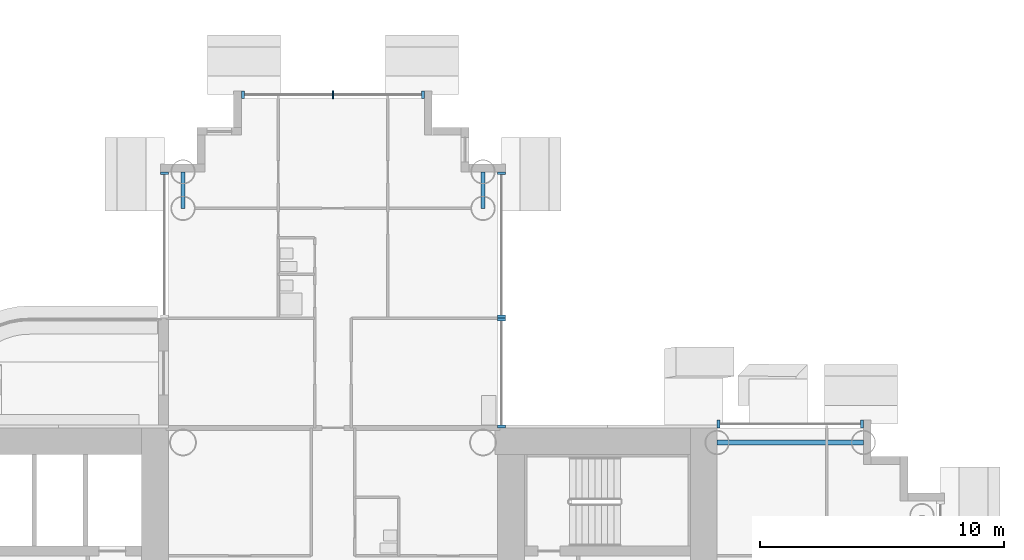
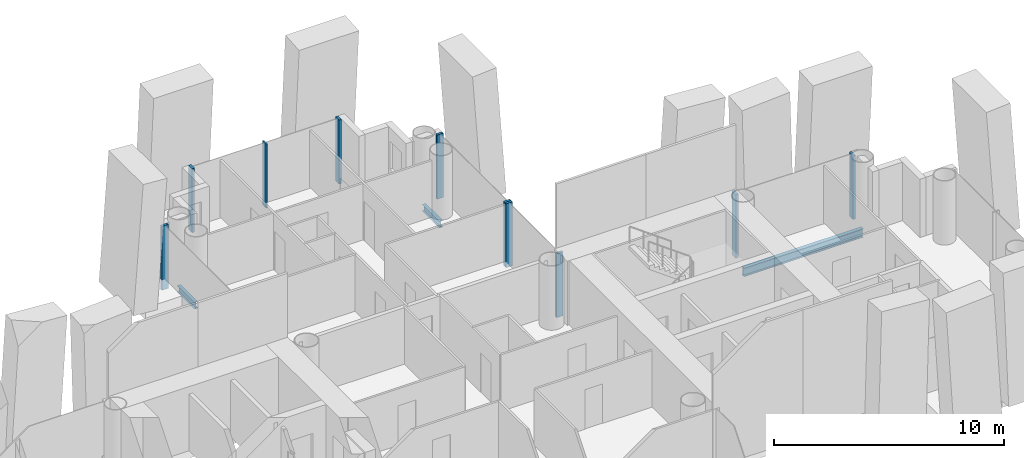
# One storey, part 5 of 25: 10 members, 3 beams, 5 elements without a shape of their own.
"""IFC4 building model written with IfcOpenShell, lengths in metres."""

from ifc_helpers import new_model, si_unit, direction, frame, origin, origin_2d, place, context, subcontext, project, spatial, rectangle, i_section, extrude, material, layer, layer_set, material_profile, profile_set, type_object, element, aggregate, save


model = new_model("IFC4")

# Units and contexts
model_context = context("Model", 3, precision=1e-05, world=origin(), true_north=direction((0.0, 1.0)))
body_context = subcontext(model_context, "Body", "Model", "MODEL_VIEW")
ifc_project = project(units=[si_unit("LENGTHUNIT", "METRE"), si_unit("AREAUNIT", "SQUARE_METRE"), si_unit("VOLUMEUNIT", "CUBIC_METRE"), si_unit("PLANEANGLEUNIT", "RADIAN"), si_unit("MASSUNIT", "GRAM", prefix="KILO")], contexts=[model_context])

# Site, building, storey
site_placement = place(None, origin())
site = spatial("IfcSite", under=ifc_project, at=site_placement, CompositionType="ELEMENT")
building_placement = place(site_placement, origin())
building = spatial("IfcBuilding", under=site, at=building_placement, Name="Ipe Terrace Towers", CompositionType="ELEMENT")
storey_placement = place(building_placement, frame((0.0, 0.0, 31.300048828125)))
storey = spatial("IfcBuildingStorey", under=building, at=storey_placement, Name="L07", CompositionType="ELEMENT", Elevation=31.300048828125)

# Beams
ifc_material_1 = material(Name="Steel S355", Category="steel")
ifc_material_profile_1 = material_profile(ifc_material_1, i_section(OverallWidth=0.175048828125, OverallDepth=0.35009765625, WebThickness=0.007080078125, FlangeThickness=0.010986328125, at=origin_2d()), Name="H-350x175x7x11")
ifc_profile_set_1 = profile_set([ifc_material_profile_1], Name="Steel S355")
beam_type_1 = type_object("IfcBeamType", Name="H04 EDGE BEAM H-350x175x7x11", PredefinedType="BEAM", material=ifc_profile_set_1)
for number, where, z_axis, x_axis, name in (
    (1, (-29.85009765625, 15.75, -0.574951171875), (0.0, 1.0, 0.0), (-1.0, 0.0, 0.0), "Edge beam T1-EB-B03-B05"),
    (2, (-42.14990234375, 15.75, -0.574951171875), (0.0, 1.0, 0.0), (-1.0, 0.0, 0.0), "Edge beam T1-EB-B04-B06"),
):
    element("IfcBeam", number, at=place(storey_placement, frame(where, z_axis=z_axis, x_axis=x_axis)), inside=storey, type_object=beam_type_1, Name=name, PredefinedType="BEAM", context=body_context, shape_type="SweptSolid", body=[
        extrude(i_section(OverallWidth=0.175048828125, OverallDepth=0.35009765625, WebThickness=0.007080078125, FlangeThickness=0.010986328125, at=origin_2d()), origin(), (0.0, 0.0, 1.0), 1.5),
    ])
ifc_material_2 = material(Name="Steel S355", Category="steel")
ifc_material_profile_2 = material_profile(ifc_material_2, i_section(OverallWidth=0.199951171875, OverallDepth=0.449951171875, WebThickness=0.009033203125, FlangeThickness=0.013916015625, at=origin_2d()), Name="H-450x200x9x14")
ifc_profile_set_2 = profile_set([ifc_material_profile_2], Name="Steel S355")
beam_type_2 = type_object("IfcBeamType", Name="H08 EDGE BEAM H-450x200x9x14", PredefinedType="BEAM", material=ifc_profile_set_2)
beam_placement = place(storey_placement, frame((-20.25, 6.14990234375, -0.625), z_axis=(1.0, 0.0, 0.0), x_axis=(0.0, 1.0, 0.0)))
element("IfcBeam", 3, at=beam_placement, inside=storey, type_object=beam_type_2, Name="Edge beam T1-EB-A02-A04", PredefinedType="BEAM", context=body_context, shape_type="SweptSolid", body=[
    extrude(i_section(OverallWidth=0.199951171875, OverallDepth=0.449951171875, WebThickness=0.009033203125, FlangeThickness=0.013916015625, at=origin_2d()), origin(), (0.0, 0.0, 1.0), 6.0),
])

# Curtain wall, members
ifc_material_3 = material(Name="Aluminium alloy 6063-T6", Category="aluminium")
ifc_layer = layer(ifc_material_3, 0.320068359375)
ifc_layer_set = layer_set([ifc_layer], Name="TOWER UNITISED CURTAIN WALL")
curtain_wall_type = type_object("IfcCurtainWallType", Name="TOWER UNITISED CURTAIN WALL", PredefinedType="NOTDEFINED", material=ifc_layer_set)
curtain_wall_1_placement = place(storey_placement, origin())
curtain_wall_1 = element("IfcCurtainWall", 4, at=curtain_wall_1_placement, inside=storey, type_object=curtain_wall_type, Name="T1-CW-L07-30a curtain wall", PredefinedType="NOTDEFINED")
ifc_material_4 = material(Name="Aluminium alloy 6063-T6", Category="aluminium")
ifc_material_profile_3 = material_profile(ifc_material_4, rectangle(XDim=0.320068359375, YDim=0.1201171875, at=origin_2d()), Name="TOWER UNITISED CORNER MULLION 320 x 120")
ifc_profile_set_3 = profile_set([ifc_material_profile_3], Name="Aluminium alloy 6063-T6")
member_type_1 = type_object("IfcMemberType", Name="TOWER UNITISED CORNER MULLION 320 x 120", PredefinedType="MULLION", material=ifc_profile_set_3)
member_1_placement = place(storey_placement, frame((-14.31005859375, 6.909912109375, -0.300048828125), z_axis=(0.0, 0.0, 1.0), x_axis=(0.0, 1.0, 0.0)))
member_1 = element("IfcMember", 5, at=member_1_placement, type_object=member_type_1, Name="T1-CW-L07-30a mullion 1", PredefinedType="MULLION", context=body_context, shape_type="SweptSolid", body=[
    extrude(rectangle(XDim=0.320068359375, YDim=0.1201171875, at=origin_2d()), origin(), (0.0, 0.0, 1.0), 3.39990234375),
])
member_2_placement = place(storey_placement, frame((-20.18896484375, 6.909912109375, -0.300048828125), z_axis=(0.0, 0.0, 1.0), x_axis=(0.0, 1.0, 0.0)))
member_2 = element("IfcMember", 6, at=member_2_placement, type_object=member_type_1, Name="T1-CW-L07-30a mullion 2", PredefinedType="MULLION", context=body_context, shape_type="SweptSolid", body=[
    extrude(rectangle(XDim=0.320068359375, YDim=0.1201171875, at=origin_2d()), origin(), (0.0, 0.0, 1.0), 3.39990234375),
])
aggregate(curtain_wall_1, [member_1, member_2])

curtain_wall_2_placement = place(storey_placement, origin())
curtain_wall_2 = element("IfcCurtainWall", 7, at=curtain_wall_2_placement, inside=storey, type_object=curtain_wall_type, Name="T1-CW-L07-32a curtain wall", PredefinedType="NOTDEFINED")
member_3_placement = place(storey_placement, frame((-29.090087890625, 6.81005859375, -0.300048828125), z_axis=(0.0, 0.0, 1.0), x_axis=(1.0, 0.0, 0.0)))
member_3 = element("IfcMember", 8, at=member_3_placement, type_object=member_type_1, Name="T1-CW-L07-32a mullion 1", PredefinedType="MULLION", context=body_context, shape_type="SweptSolid", body=[
    extrude(rectangle(XDim=0.320068359375, YDim=0.1201171875, at=origin_2d()), origin(), (0.0, 0.0, 1.0), 3.39990234375),
])
member_4_placement = place(storey_placement, frame((-29.090087890625, 11.18994140625, -0.300048828125), z_axis=(0.0, 0.0, 1.0), x_axis=(1.0, 0.0, 0.0)))
member_4 = element("IfcMember", 9, at=member_4_placement, type_object=member_type_1, Name="T1-CW-L07-32a mullion 2", PredefinedType="MULLION", context=body_context, shape_type="SweptSolid", body=[
    extrude(rectangle(XDim=0.320068359375, YDim=0.1201171875, at=origin_2d()), origin(), (0.0, 0.0, 1.0), 3.39990234375),
])
aggregate(curtain_wall_2, [member_3, member_4])

curtain_wall_3_placement = place(storey_placement, origin())
curtain_wall_3 = element("IfcCurtainWall", 10, at=curtain_wall_3_placement, inside=storey, type_object=curtain_wall_type, Name="T1-CW-L07-33a curtain wall", PredefinedType="NOTDEFINED")
member_5_placement = place(storey_placement, frame((-29.090087890625, 11.31005859375, -0.300048828125), z_axis=(0.0, 0.0, 1.0), x_axis=(1.0, 0.0, 0.0)))
member_5 = element("IfcMember", 11, at=member_5_placement, type_object=member_type_1, Name="T1-CW-L07-33a mullion 1", PredefinedType="MULLION", context=body_context, shape_type="SweptSolid", body=[
    extrude(rectangle(XDim=0.320068359375, YDim=0.1201171875, at=origin_2d()), origin(), (0.0, 0.0, 1.0), 3.39990234375),
])
member_6_placement = place(storey_placement, frame((-29.090087890625, 17.18994140625, -0.300048828125), z_axis=(0.0, 0.0, 1.0), x_axis=(1.0, 0.0, 0.0)))
member_6 = element("IfcMember", 12, at=member_6_placement, type_object=member_type_1, Name="T1-CW-L07-33a mullion 2", PredefinedType="MULLION", context=body_context, shape_type="SweptSolid", body=[
    extrude(rectangle(XDim=0.320068359375, YDim=0.1201171875, at=origin_2d()), origin(), (0.0, 0.0, 1.0), 3.39990234375),
])
aggregate(curtain_wall_3, [member_5, member_6])

curtain_wall_4_placement = place(storey_placement, origin())
curtain_wall_4 = element("IfcCurtainWall", 13, at=curtain_wall_4_placement, inside=storey, type_object=curtain_wall_type, Name="T1-CW-L07-38a curtain wall", PredefinedType="NOTDEFINED")
member_7_placement = place(storey_placement, frame((-32.31005859375, 20.409912109375, -0.300048828125), z_axis=(0.0, 0.0, 1.0), x_axis=(0.0, 1.0, 0.0)))
member_7 = element("IfcMember", 14, at=member_7_placement, type_object=member_type_1, Name="T1-CW-L07-38a mullion 1", PredefinedType="MULLION", context=body_context, shape_type="SweptSolid", body=[
    extrude(rectangle(XDim=0.320068359375, YDim=0.1201171875, at=origin_2d()), origin(), (0.0, 0.0, 1.0), 3.39990234375),
])
member_8_placement = place(storey_placement, frame((-39.68994140625, 20.409912109375, -0.300048828125), z_axis=(0.0, 0.0, 1.0), x_axis=(0.0, 1.0, 0.0)))
member_8 = element("IfcMember", 15, at=member_8_placement, type_object=member_type_1, Name="T1-CW-L07-38a mullion 3", PredefinedType="MULLION", context=body_context, shape_type="SweptSolid", body=[
    extrude(rectangle(XDim=0.320068359375, YDim=0.1201171875, at=origin_2d()), origin(), (0.0, 0.0, 1.0), 3.39990234375),
])

# Curtain wall, member
curtain_wall_5_placement = place(storey_placement, origin())
curtain_wall_5 = element("IfcCurtainWall", 16, at=curtain_wall_5_placement, inside=storey, type_object=curtain_wall_type, Name="T1-CW-L07-43a curtain wall", PredefinedType="NOTDEFINED")
member_9_placement = place(storey_placement, frame((-42.909912109375, 17.18994140625, -0.300048828125), z_axis=(0.0, 0.0, 1.0), x_axis=(-1.0, 0.0, 0.0)))
member_9 = element("IfcMember", 17, at=member_9_placement, type_object=member_type_1, Name="T1-CW-L07-43a mullion 1", PredefinedType="MULLION", context=body_context, shape_type="SweptSolid", body=[
    extrude(rectangle(XDim=0.320068359375, YDim=0.1201171875, at=origin_2d()), origin(), (0.0, 0.0, 1.0), 3.39990234375),
])
aggregate(curtain_wall_5, [member_9])

# Member
ifc_material_5 = material(Name="Aluminium alloy 6063-T6", Category="aluminium")
ifc_material_profile_4 = material_profile(ifc_material_5, rectangle(XDim=0.320068359375, YDim=0.06494140625, at=origin_2d()), Name="TOWER UNITISED MULLION 320 x 65")
ifc_profile_set_4 = profile_set([ifc_material_profile_4], Name="Aluminium alloy 6063-T6")
member_type_2 = type_object("IfcMemberType", Name="TOWER UNITISED MULLION 320 x 65", PredefinedType="MULLION", material=ifc_profile_set_4)
member_10_placement = place(storey_placement, frame((-36.0, 20.409912109375, -0.300048828125), z_axis=(0.0, 0.0, 1.0), x_axis=(0.0, 1.0, 0.0)))
member_10 = element("IfcMember", 18, at=member_10_placement, type_object=member_type_2, Name="T1-CW-L07-38a mullion 2", PredefinedType="MULLION", context=body_context, shape_type="SweptSolid", body=[
    extrude(rectangle(XDim=0.320068359375, YDim=0.06494140625, at=origin_2d()), origin(), (0.0, 0.0, 1.0), 3.39990234375),
])

aggregate(curtain_wall_4, [member_7, member_10, member_8])

save(model, "model.ifc")
